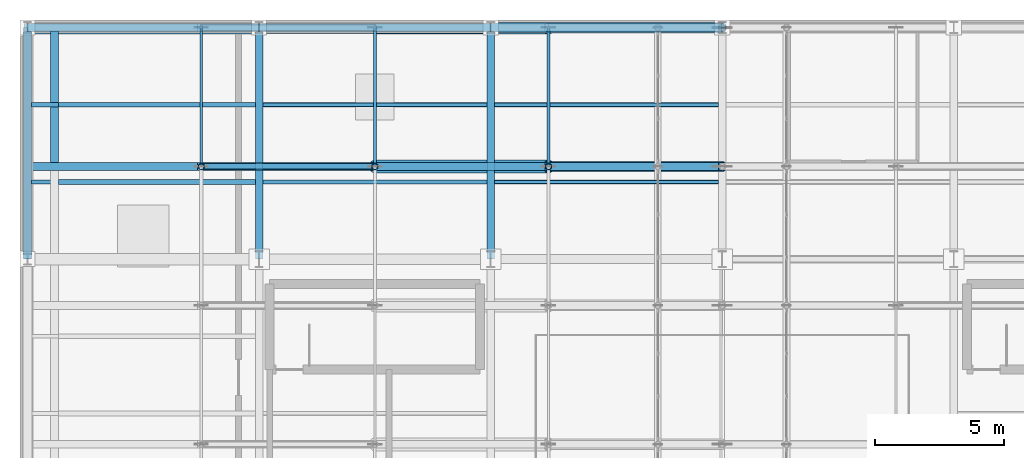
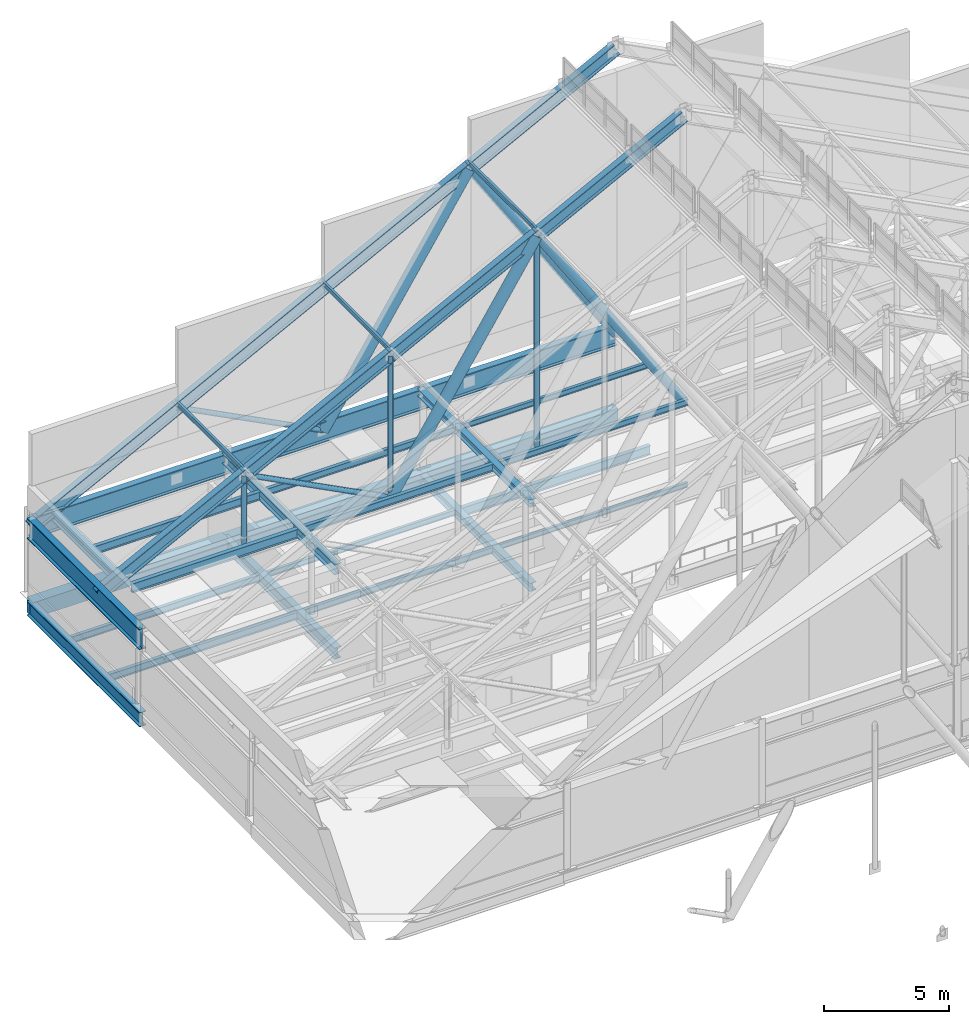
# One storey, part 55 of 84: 25 beams, 20 members.
"""IFC4 building model written with IfcOpenShell, lengths in metres."""

from ifc_helpers import new_model, si_unit, direction, frame, origin, origin_2d, place, context, subcontext, project, spatial, rectangle, hollow_circle, i_section, extrude, material, material_profile, profile_set, type_object, element, save


model = new_model("IFC4")

# Units and contexts
model_context = context("Model", 3, precision=1e-05, world=origin(), true_north=direction((0.0, 1.0)))
body_context = subcontext(model_context, "Body", "Model", "MODEL_VIEW")
ifc_project = project(units=[si_unit("LENGTHUNIT", "METRE"), si_unit("AREAUNIT", "SQUARE_METRE"), si_unit("VOLUMEUNIT", "CUBIC_METRE"), si_unit("PLANEANGLEUNIT", "RADIAN"), si_unit("MASSUNIT", "GRAM", prefix="KILO")], contexts=[model_context])

# Site, building, storey
site_placement = place(None, origin())
site = spatial("IfcSite", under=ifc_project, at=site_placement, CompositionType="ELEMENT")
building_placement = place(site_placement, origin())
building = spatial("IfcBuilding", under=site, at=building_placement, Name="Sundgate Opera House", CompositionType="ELEMENT")
storey_placement = place(building_placement, frame((0.0, 0.0, 30.60009765625)))
storey = spatial("IfcBuildingStorey", under=building, at=storey_placement, Name="L06", CompositionType="ELEMENT", Elevation=30.60009765625)

# Beams
ifc_material_1 = material(Name="Steel S355J2", Category="steel")
ifc_material_profile_1 = material_profile(ifc_material_1, i_section(OverallWidth=0.300048828125, OverallDepth=0.389892578125, WebThickness=0.010986328125, FlangeThickness=0.01904296875, at=origin_2d()), Name="HEA 400")
ifc_profile_set_1 = profile_set([ifc_material_profile_1], Name="Steel S355J2")
beam_type_1 = type_object("IfcBeamType", Name="BM-GR-HEA400", PredefinedType="BEAM", material=ifc_profile_set_1)
beam_1_placement = place(storey_placement, frame((28.050048828125, 81.75, 3.58984375), z_axis=(0.0, 1.0, 0.0), x_axis=(-1.0, 0.0, 0.0)))
element("IfcBeam", 1, at=beam_1_placement, inside=storey, type_object=beam_type_1, Name="L06 Gridiron Deck Edge Girder B3299", PredefinedType="BEAM", context=body_context, shape_type="SweptSolid", body=[
    extrude(i_section(OverallWidth=0.300048828125, OverallDepth=0.389892578125, WebThickness=0.010986328125, FlangeThickness=0.01904296875, at=origin_2d()), origin(), (0.0, 0.0, 1.0), 5.1201171875),
])
ifc_material_2 = material(Name="Steel S355J2", Category="steel")
ifc_material_profile_2 = material_profile(ifc_material_2, i_section(OverallWidth=0.300048828125, OverallDepth=0.360107421875, WebThickness=0.012451171875, FlangeThickness=0.0224609375, at=origin_2d()), Name="HEB 360")
ifc_profile_set_2 = profile_set([ifc_material_profile_2], Name="Steel S355J2")
beam_type_2 = type_object("IfcBeamType", Name="BM-GR-HEB360", PredefinedType="BEAM", material=ifc_profile_set_2)
beam_2_placement = place(storey_placement, frame((45.0, 78.0, 3.619873046875), z_axis=(0.0, 1.0, 0.0), x_axis=(-1.0, 0.0, 0.0)))
element("IfcBeam", 2, at=beam_2_placement, inside=storey, type_object=beam_type_2, Name="L06 Primary N-S Girder B3275", PredefinedType="BEAM", context=body_context, shape_type="SweptSolid", body=[
    extrude(i_section(OverallWidth=0.300048828125, OverallDepth=0.360107421875, WebThickness=0.012451171875, FlangeThickness=0.0224609375, at=origin_2d()), origin(), (0.0, 0.0, 1.0), 9.0),
])
ifc_material_3 = material(Name="Steel S355J2", Category="steel")
ifc_material_profile_3 = material_profile(ifc_material_3, i_section(OverallWidth=0.300048828125, OverallDepth=0.39990234375, WebThickness=0.013427734375, FlangeThickness=0.02392578125, at=origin_2d()), Name="HEB 400")
ifc_profile_set_3 = profile_set([ifc_material_profile_3], Name="Steel S355J2")
beam_type_3 = type_object("IfcBeamType", Name="BM-GR-HEB400", PredefinedType="BEAM", material=ifc_profile_set_3)
beam_3_placement = place(storey_placement, frame((45.0, 78.0, -0.460205078125), z_axis=(0.0, 1.0, 0.0), x_axis=(-1.0, 0.0, 0.0)))
element("IfcBeam", 3, at=beam_3_placement, inside=storey, type_object=beam_type_3, Name="L06 Primary N-S Girder B3200", PredefinedType="BEAM", context=body_context, shape_type="SweptSolid", body=[
    extrude(i_section(OverallWidth=0.300048828125, OverallDepth=0.39990234375, WebThickness=0.013427734375, FlangeThickness=0.02392578125, at=origin_2d()), origin(), (0.0, 0.0, 1.0), 9.0),
])
ifc_material_4 = material(Name="Steel S355J2", Category="steel")
ifc_material_profile_4 = material_profile(ifc_material_4, i_section(OverallWidth=0.300048828125, OverallDepth=0.5, WebThickness=0.014404296875, FlangeThickness=0.028076171875, at=origin_2d()), Name="HEB 500")
ifc_profile_set_4 = profile_set([ifc_material_profile_4], Name="Steel S355J2")
beam_type_4 = type_object("IfcBeamType", Name="BM-GR-HEB500", PredefinedType="BEAM", material=ifc_profile_set_4)
beam_4_placement = place(storey_placement, frame((36.0, 78.0, 3.5498046875), z_axis=(0.0, 1.0, 0.0), x_axis=(-1.0, 0.0, 0.0)))
element("IfcBeam", 4, at=beam_4_placement, inside=storey, type_object=beam_type_4, Name="L06 Primary N-S Girder B3272", PredefinedType="BEAM", context=body_context, shape_type="SweptSolid", body=[
    extrude(i_section(OverallWidth=0.300048828125, OverallDepth=0.5, WebThickness=0.014404296875, FlangeThickness=0.028076171875, at=origin_2d()), origin(), (0.0, 0.0, 1.0), 9.0),
])
ifc_material_5 = material(Name="Steel S355J2", Category="steel")
ifc_material_profile_5 = material_profile(ifc_material_5, i_section(OverallWidth=0.300048828125, OverallDepth=0.550048828125, WebThickness=0.014892578125, FlangeThickness=0.029052734375, at=origin_2d()), Name="HEB 550")
ifc_profile_set_5 = profile_set([ifc_material_profile_5], Name="Steel S355J2")
beam_type_5 = type_object("IfcBeamType", Name="BM-GR-HEB550", PredefinedType="BEAM", material=ifc_profile_set_5)
beam_5_placement = place(storey_placement, frame((36.0, 78.0, -0.53515625), z_axis=(0.0, 1.0, 0.0), x_axis=(-1.0, 0.0, 0.0)))
element("IfcBeam", 5, at=beam_5_placement, inside=storey, type_object=beam_type_5, Name="L06 Primary N-S Girder B3197", PredefinedType="BEAM", context=body_context, shape_type="SweptSolid", body=[
    extrude(i_section(OverallWidth=0.300048828125, OverallDepth=0.550048828125, WebThickness=0.014892578125, FlangeThickness=0.029052734375, at=origin_2d()), origin(), (0.0, 0.0, 1.0), 9.0),
])
ifc_material_6 = material(Name="Steel S355J2", Category="steel")
ifc_material_profile_6 = material_profile(ifc_material_6, i_section(OverallWidth=0.300048828125, OverallDepth=0.699951171875, WebThickness=0.01708984375, FlangeThickness=0.031982421875, at=origin_2d()), Name="HEB 700")
ifc_profile_set_6 = profile_set([ifc_material_profile_6], Name="Steel S355J2")
beam_type_6 = type_object("IfcBeamType", Name="BM-GR-HEB700", PredefinedType="BEAM", material=ifc_profile_set_6)
beam_6_placement = place(storey_placement, frame((27.0, 78.0, -0.610107421875), z_axis=(0.0, 1.0, 0.0), x_axis=(-1.0, 0.0, 0.0)))
element("IfcBeam", 6, at=beam_6_placement, inside=storey, type_object=beam_type_6, Name="L06 Primary N-S Girder B3194", PredefinedType="BEAM", context=body_context, shape_type="SweptSolid", body=[
    extrude(i_section(OverallWidth=0.300048828125, OverallDepth=0.699951171875, WebThickness=0.01708984375, FlangeThickness=0.031982421875, at=origin_2d()), origin(), (0.0, 0.0, 1.0), 9.0),
])
ifc_material_7 = material(Name="Steel S355J2", Category="steel")
ifc_material_profile_7 = material_profile(ifc_material_7, i_section(OverallWidth=0.1201171875, OverallDepth=0.239990234375, WebThickness=0.006103515625, FlangeThickness=0.009765625, at=origin_2d()), Name="IPE 240")
ifc_profile_set_7 = profile_set([ifc_material_profile_7], Name="Steel S355J2")
beam_type_7 = type_object("IfcBeamType", Name="BM-JS-IPE240", PredefinedType="JOIST", material=ifc_profile_set_7)
beam_7_placement = place(storey_placement, frame((45.14990234375, 81.0, -0.380126953125), z_axis=(1.0, 0.0, 0.0), x_axis=(0.0, 1.0, 0.0)))
element("IfcBeam", 7, at=beam_7_placement, inside=storey, type_object=beam_type_7, Name="L06 Secondary Floor Joist B3262", PredefinedType="JOIST", context=body_context, shape_type="SweptSolid", body=[
    extrude(i_section(OverallWidth=0.1201171875, OverallDepth=0.239990234375, WebThickness=0.006103515625, FlangeThickness=0.009765625, at=origin_2d()), origin(), (0.0, 0.0, 1.0), 8.7001953125),
])
ifc_material_8 = material(Name="Steel S355J2", Category="steel")
ifc_material_profile_8 = material_profile(ifc_material_8, i_section(OverallWidth=0.135009765625, OverallDepth=0.27001953125, WebThickness=0.006591796875, FlangeThickness=0.01025390625, at=origin_2d()), Name="IPE 270")
ifc_profile_set_8 = profile_set([ifc_material_profile_8], Name="Steel S355J2")
beam_type_8 = type_object("IfcBeamType", Name="BM-JS-IPE270", PredefinedType="JOIST", material=ifc_profile_set_8)
for number, where, z_axis, x_axis, name in (
    (8, (36.14990234375, 84.0, -0.39501953125), (1.0, 0.0, 0.0), (0.0, 1.0, 0.0), "L06 Secondary Floor Joist B3261"),
    (9, (45.14990234375, 84.0, 3.664794921875), (1.0, 0.0, 0.0), (0.0, 1.0, 0.0), "L06 Secondary Floor Joist B3326"),
):
    element("IfcBeam", number, at=place(storey_placement, frame(where, z_axis=z_axis, x_axis=x_axis)), inside=storey, type_object=beam_type_8, Name=name, PredefinedType="JOIST", context=body_context, shape_type="SweptSolid", body=[
        extrude(i_section(OverallWidth=0.135009765625, OverallDepth=0.27001953125, WebThickness=0.006591796875, FlangeThickness=0.01025390625, at=origin_2d()), origin(), (0.0, 0.0, 1.0), 8.7001953125),
    ])
ifc_material_9 = material(Name="Steel S355J2", Category="steel")
ifc_material_profile_9 = material_profile(ifc_material_9, i_section(OverallWidth=0.14990234375, OverallDepth=0.300048828125, WebThickness=0.007080078125, FlangeThickness=0.0107421875, at=origin_2d()), Name="IPE 300")
ifc_profile_set_9 = profile_set([ifc_material_profile_9], Name="Steel S355J2")
beam_type_9 = type_object("IfcBeamType", Name="BM-JS-IPE300", PredefinedType="JOIST", material=ifc_profile_set_9)
for number, where, z_axis, x_axis, name in (
    (10, (36.14990234375, 81.0, -0.41015625), (1.0, 0.0, 0.0), (0.0, 1.0, 0.0), "L06 Secondary Floor Joist B3260"),
    (11, (45.14990234375, 81.0, 3.64990234375), (1.0, 0.0, 0.0), (0.0, 1.0, 0.0), "L06 Secondary Floor Joist B3325"),
):
    element("IfcBeam", number, at=place(storey_placement, frame(where, z_axis=z_axis, x_axis=x_axis)), inside=storey, type_object=beam_type_9, Name=name, PredefinedType="JOIST", context=body_context, shape_type="SweptSolid", body=[
        extrude(i_section(OverallWidth=0.14990234375, OverallDepth=0.300048828125, WebThickness=0.007080078125, FlangeThickness=0.0107421875, at=origin_2d()), origin(), (0.0, 0.0, 1.0), 8.7001953125),
    ])
ifc_material_10 = material(Name="Steel S355J2", Category="steel")
ifc_material_profile_10 = material_profile(ifc_material_10, i_section(OverallWidth=0.159912109375, OverallDepth=0.330078125, WebThickness=0.007568359375, FlangeThickness=0.011474609375, at=origin_2d()), Name="IPE 330")
ifc_profile_set_10 = profile_set([ifc_material_profile_10], Name="Steel S355J2")
beam_type_10 = type_object("IfcBeamType", Name="BM-JS-IPE330", PredefinedType="JOIST", material=ifc_profile_set_10)
for number, where, z_axis, x_axis, name in (
    (12, (27.14990234375, 84.0, -0.425048828125), (1.0, 0.0, 0.0), (0.0, 1.0, 0.0), "L06 Secondary Floor Joist B3259"),
    (13, (36.14990234375, 84.0, 3.635009765625), (1.0, 0.0, 0.0), (0.0, 1.0, 0.0), "L06 Secondary Floor Joist B3324"),
):
    element("IfcBeam", number, at=place(storey_placement, frame(where, z_axis=z_axis, x_axis=x_axis)), inside=storey, type_object=beam_type_10, Name=name, PredefinedType="JOIST", context=body_context, shape_type="SweptSolid", body=[
        extrude(i_section(OverallWidth=0.159912109375, OverallDepth=0.330078125, WebThickness=0.007568359375, FlangeThickness=0.011474609375, at=origin_2d()), origin(), (0.0, 0.0, 1.0), 8.7001953125),
    ])
ifc_material_11 = material(Name="Steel S355J2", Category="steel")
ifc_material_profile_11 = material_profile(ifc_material_11, i_section(OverallWidth=0.169921875, OverallDepth=0.360107421875, WebThickness=0.008056640625, FlangeThickness=0.0126953125, at=origin_2d()), Name="IPE 360")
ifc_profile_set_11 = profile_set([ifc_material_profile_11], Name="Steel S355J2")
beam_type_11 = type_object("IfcBeamType", Name="BM-JS-IPE360", PredefinedType="JOIST", material=ifc_profile_set_11)
for number, where, z_axis, x_axis, name in (
    (14, (27.14990234375, 81.0, -0.440185546875), (1.0, 0.0, 0.0), (0.0, 1.0, 0.0), "L06 Secondary Floor Joist B3258"),
    (15, (36.14990234375, 81.0, 3.619873046875), (1.0, 0.0, 0.0), (0.0, 1.0, 0.0), "L06 Secondary Floor Joist B3323"),
):
    element("IfcBeam", number, at=place(storey_placement, frame(where, z_axis=z_axis, x_axis=x_axis)), inside=storey, type_object=beam_type_11, Name=name, PredefinedType="JOIST", context=body_context, shape_type="SweptSolid", body=[
        extrude(i_section(OverallWidth=0.169921875, OverallDepth=0.360107421875, WebThickness=0.008056640625, FlangeThickness=0.0126953125, at=origin_2d()), origin(), (0.0, 0.0, 1.0), 8.7001953125),
    ])
ifc_material_12 = material(Name="Steel S355J2", Category="steel")
ifc_material_profile_12 = material_profile(ifc_material_12, i_section(OverallWidth=0.179931640625, OverallDepth=0.39990234375, WebThickness=0.008544921875, FlangeThickness=0.013427734375, at=origin_2d()), Name="IPE 400")
ifc_profile_set_12 = profile_set([ifc_material_profile_12], Name="Steel S355J2")
beam_type_12 = type_object("IfcBeamType", Name="BM-JS-IPE400", PredefinedType="JOIST", material=ifc_profile_set_12)
beam_8_placement = place(storey_placement, frame((28.199951171875, 84.0, 3.5849609375), z_axis=(1.0, 0.0, 0.0), x_axis=(0.0, 1.0, 0.0)))
element("IfcBeam", 16, at=beam_8_placement, inside=storey, type_object=beam_type_12, Name="L06 Secondary Floor Joist B3322", PredefinedType="JOIST", context=body_context, shape_type="SweptSolid", body=[
    extrude(i_section(OverallWidth=0.179931640625, OverallDepth=0.39990234375, WebThickness=0.008544921875, FlangeThickness=0.013427734375, at=origin_2d()), origin(), (0.0, 0.0, 1.0), 7.650146484375),
])
ifc_material_13 = material(Name="Steel S355J2", Category="steel")
ifc_material_profile_13 = material_profile(ifc_material_13, i_section(OverallWidth=0.18994140625, OverallDepth=0.449951171875, WebThickness=0.009521484375, FlangeThickness=0.0146484375, at=origin_2d()), Name="IPE 450")
ifc_profile_set_13 = profile_set([ifc_material_profile_13], Name="Steel S355J2")
beam_type_13 = type_object("IfcBeamType", Name="BM-JS-IPE450", PredefinedType="JOIST", material=ifc_profile_set_13)
beam_9_placement = place(storey_placement, frame((45.14990234375, 84.0, -0.485107421875), z_axis=(1.0, 0.0, 0.0), x_axis=(0.0, 1.0, 0.0)))
element("IfcBeam", 17, at=beam_9_placement, inside=storey, type_object=beam_type_13, Name="L06 Secondary Floor Joist B3263", PredefinedType="JOIST", context=body_context, shape_type="SweptSolid", body=[
    extrude(i_section(OverallWidth=0.18994140625, OverallDepth=0.449951171875, WebThickness=0.009521484375, FlangeThickness=0.0146484375, at=origin_2d()), origin(), (0.0, 0.0, 1.0), 8.7001953125),
])
beam_10_placement = place(storey_placement, frame((28.199951171875, 81.0, 3.559814453125), z_axis=(1.0, 0.0, 0.0), x_axis=(0.0, 1.0, 0.0)))
element("IfcBeam", 18, at=beam_10_placement, inside=storey, type_object=beam_type_13, Name="L06 Secondary Floor Joist B3321", PredefinedType="JOIST", context=body_context, shape_type="SweptSolid", body=[
    extrude(i_section(OverallWidth=0.18994140625, OverallDepth=0.449951171875, WebThickness=0.009521484375, FlangeThickness=0.0146484375, at=origin_2d()), origin(), (0.0, 0.0, 1.0), 7.650146484375),
])
ifc_material_14 = material(Name="Concrete C35/45", Category="concrete")
ifc_material_profile_14 = material_profile(ifc_material_14, rectangle(XDim=0.39990234375, YDim=0.60009765625, at=origin_2d()), Name="RC 400x600")
ifc_profile_set_14 = profile_set([ifc_material_profile_14], Name="Concrete C35/45")
beam_type_14 = type_object("IfcBeamType", Name="BM-RC-400x600", PredefinedType="BEAM", material=ifc_profile_set_14)
beam_11_placement = place(storey_placement, frame((45.0, 87.0, -0.56005859375), z_axis=(1.0, 0.0, 0.0), x_axis=(0.0, 1.0, 0.0)))
element("IfcBeam", 19, at=beam_11_placement, inside=storey, type_object=beam_type_14, Name="L06 Primary E-W Girder B3236", PredefinedType="BEAM", context=body_context, shape_type="SweptSolid", body=[
    extrude(rectangle(XDim=0.39990234375, YDim=0.60009765625, at=origin_2d()), origin(), (0.0, 0.0, 1.0), 9.0),
])
ifc_material_15 = material(Name="Concrete C35/45", Category="concrete")
ifc_material_profile_15 = material_profile(ifc_material_15, rectangle(XDim=0.449951171875, YDim=0.64990234375, at=origin_2d()), Name="RC 450x650")
ifc_profile_set_15 = profile_set([ifc_material_profile_15], Name="Concrete C35/45")
beam_type_15 = type_object("IfcBeamType", Name="BM-RC-450x650", PredefinedType="BEAM", material=ifc_profile_set_15)
beam_12_placement = place(storey_placement, frame((36.0, 87.0, -0.585205078125), z_axis=(1.0, 0.0, 0.0), x_axis=(0.0, 1.0, 0.0)))
element("IfcBeam", 20, at=beam_12_placement, inside=storey, type_object=beam_type_15, Name="L06 Primary E-W Girder B3235", PredefinedType="BEAM", context=body_context, shape_type="SweptSolid", body=[
    extrude(rectangle(XDim=0.449951171875, YDim=0.64990234375, at=origin_2d()), origin(), (0.0, 0.0, 1.0), 9.0),
])
ifc_material_16 = material(Name="Concrete C40/50", Category="concrete")
ifc_material_profile_16 = material_profile(ifc_material_16, rectangle(XDim=0.5, YDim=0.75, at=origin_2d()), Name="RC 500x750")
ifc_profile_set_16 = profile_set([ifc_material_profile_16], Name="Concrete C40/50")
beam_type_16 = type_object("IfcBeamType", Name="BM-RC-500x750", PredefinedType="BEAM", material=ifc_profile_set_16)
beam_13_placement = place(storey_placement, frame((27.0, 87.0, -0.635009765625), z_axis=(1.0, 0.0, 0.0), x_axis=(0.0, 1.0, 0.0)))
element("IfcBeam", 21, at=beam_13_placement, inside=storey, type_object=beam_type_16, Name="L06 Primary E-W Girder B3234", PredefinedType="BEAM", context=body_context, shape_type="SweptSolid", body=[
    extrude(rectangle(XDim=0.5, YDim=0.75, at=origin_2d()), origin(), (0.0, 0.0, 1.0), 9.0),
])
ifc_material_17 = material(Name="Steel S355ML", Category="steel")
ifc_material_profile_17 = material_profile(ifc_material_17, i_section(OverallWidth=0.300048828125, OverallDepth=1.0, WebThickness=0.01904296875, FlangeThickness=0.035888671875, at=origin_2d()), Name="HEB 1000")
ifc_profile_set_17 = profile_set([ifc_material_profile_17], Name="Steel S355ML")
beam_type_17 = type_object("IfcBeamType", Name="BM-TR-HEB1000", PredefinedType="BEAM", material=ifc_profile_set_17)
for number, where, z_axis, x_axis, name in (
    (22, (27.0, 87.0, 3.289794921875), (1.0, 0.0, 0.0), (0.0, 1.0, 0.0), "L06 Fly-Tower North Gable Girder B3366"),
    (23, (36.0, 87.0, 3.289794921875), (1.0, 0.0, 0.0), (0.0, 1.0, 0.0), "L06 Fly-Tower North Gable Girder B3367"),
    (24, (45.0, 87.0, 3.289794921875), (1.0, 0.0, 0.0), (0.0, 1.0, 0.0), "L06 Fly-Tower North Gable Girder B3368"),
    (25, (27.0, 78.0, 3.289794921875), (0.0, 1.0, 0.0), (-1.0, 0.0, 0.0), "L06 Fly-Tower Eaves Collector Girder B3379"),
):
    element("IfcBeam", number, at=place(storey_placement, frame(where, z_axis=z_axis, x_axis=x_axis)), inside=storey, type_object=beam_type_17, Name=name, PredefinedType="BEAM", context=body_context, shape_type="SweptSolid", body=[
        extrude(i_section(OverallWidth=0.300048828125, OverallDepth=1.0, WebThickness=0.01904296875, FlangeThickness=0.035888671875, at=origin_2d()), origin(), (0.0, 0.0, 1.0), 9.0),
    ])

# Members
ifc_material_18 = material(Name="Steel S355J2", Category="steel")
ifc_material_profile_18 = material_profile(ifc_material_18, hollow_circle(Radius=0.122314453125, WallThickness=0.012451171875, at=origin_2d()), Name="CHS 244.5x12.5")
ifc_profile_set_18 = profile_set([ifc_material_profile_18], Name="Steel S355J2")
member_type_1 = type_object("IfcMemberType", Name="MB-BRC-CHS244", PredefinedType="BRACE", material=ifc_profile_set_18)
for number, where, z_axis, x_axis, name in (
    (26, (40.5, 81.60009765625, 3.289794921875), (-0.888960276237, 0.0, 0.457984308981), (0.0, -1.0, 0.0), "L06 Fly-Tower Warren Web Diagonal M0199"),
    (27, (40.5, 87.0, 3.289794921875), (-0.888960276237, 0.0, 0.457984308981), (0.0, -1.0, 0.0), "L06 Fly-Tower Warren Web Diagonal M0220"),
):
    element("IfcMember", number, at=place(storey_placement, frame(where, z_axis=z_axis, x_axis=x_axis)), inside=storey, type_object=member_type_1, Name=name, PredefinedType="BRACE", context=body_context, shape_type="SweptSolid", body=[
        extrude(hollow_circle(Radius=0.122314453125, WallThickness=0.012451171875, at=origin_2d()), origin(), (0.0, 0.0, 1.0), 7.59326171875),
    ])
ifc_material_19 = material(Name="Steel S355J2", Category="steel")
ifc_material_profile_19 = material_profile(ifc_material_19, i_section(OverallWidth=0.300048828125, OverallDepth=0.60009765625, WebThickness=0.015380859375, FlangeThickness=0.030029296875, at=origin_2d()), Name="HEB 600")
ifc_profile_set_19 = profile_set([ifc_material_profile_19], Name="Steel S355J2")
member_type_2 = type_object("IfcMemberType", Name="MB-CHORD-HEB600", PredefinedType="CHORD", material=ifc_profile_set_19)
for number, where, z_axis, x_axis, name in (
    (28, (27.0, 81.60009765625, 3.289794921875), (0.888960276237, 0.0, 0.457984308981), (0.0, 1.0, 0.0), "L06 Fly-Tower Truss Top Chord M0197"),
    (29, (33.75, 81.60009765625, 6.767333984375), (0.888960276237, 0.0, 0.457984308981), (0.0, 1.0, 0.0), "L06 Fly-Tower Truss Top Chord M0198"),
    (30, (40.5, 81.60009765625, 10.244873046875), (0.888960276237, 0.0, 0.457984308981), (0.0, 1.0, 0.0), "L06 Fly-Tower Truss Top Chord M0200"),
    (31, (47.25, 81.60009765625, 13.722412109375), (0.888960276237, 0.0, 0.457984308981), (0.0, 1.0, 0.0), "L06 Fly-Tower Truss Top Chord M0202"),
    (32, (27.0, 87.0, 3.289794921875), (0.888960276237, 0.0, 0.457984308981), (0.0, 1.0, 0.0), "L06 Fly-Tower Truss Top Chord M0218"),
    (33, (33.75, 87.0, 6.767333984375), (0.888960276237, 0.0, 0.457984308981), (0.0, 1.0, 0.0), "L06 Fly-Tower Truss Top Chord M0219"),
    (34, (40.5, 87.0, 10.244873046875), (0.888960276237, 0.0, 0.457984308981), (0.0, 1.0, 0.0), "L06 Fly-Tower Truss Top Chord M0221"),
    (35, (47.25, 87.0, 13.722412109375), (0.888960276237, 0.0, 0.457984308981), (0.0, 1.0, 0.0), "L06 Fly-Tower Truss Top Chord M0223"),
):
    element("IfcMember", number, at=place(storey_placement, frame(where, z_axis=z_axis, x_axis=x_axis)), inside=storey, type_object=member_type_2, Name=name, PredefinedType="CHORD", context=body_context, shape_type="SweptSolid", body=[
        extrude(i_section(OverallWidth=0.300048828125, OverallDepth=0.60009765625, WebThickness=0.015380859375, FlangeThickness=0.030029296875, at=origin_2d()), origin(), (0.0, 0.0, 1.0), 7.59326171875),
    ])
ifc_material_20 = material(Name="Steel S355J2", Category="steel")
ifc_material_profile_20 = material_profile(ifc_material_20, i_section(OverallWidth=0.110107421875, OverallDepth=0.219970703125, WebThickness=0.005859375, FlangeThickness=0.00927734375, at=origin_2d()), Name="IPE 220")
ifc_profile_set_20 = profile_set([ifc_material_profile_20], Name="Steel S355J2")
member_type_3 = type_object("IfcMemberType", Name="MB-PUR-IPE220", PredefinedType="PURLIN", material=ifc_profile_set_20)
for number, where, z_axis, x_axis, name in (
    (36, (33.75, 81.60009765625, 7.012451171875), (0.0, 1.0, 0.0), (-1.0, 0.0, 0.0), "V1 Roof Purlin M0270"),
    (37, (40.5, 81.60009765625, 10.489990234375), (0.0, 1.0, 0.0), (-1.0, 0.0, 0.0), "V1 Roof Purlin M0271"),
    (38, (47.25, 81.60009765625, 13.96728515625), (0.0, 1.0, 0.0), (-1.0, 0.0, 0.0), "V1 Roof Purlin M0272"),
):
    element("IfcMember", number, at=place(storey_placement, frame(where, z_axis=z_axis, x_axis=x_axis)), inside=storey, type_object=member_type_3, Name=name, PredefinedType="PURLIN", context=body_context, shape_type="SweptSolid", body=[
        extrude(i_section(OverallWidth=0.110107421875, OverallDepth=0.219970703125, WebThickness=0.005859375, FlangeThickness=0.00927734375, at=origin_2d()), origin(), (0.0, 0.0, 1.0), 5.39990234375),
    ])
ifc_material_21 = material(Name="Steel S355J2", Category="steel")
ifc_material_profile_21 = material_profile(ifc_material_21, hollow_circle(Radius=0.122314453125, WallThickness=0.012451171875, at=origin_2d()), Name="CHS 244.5x12.5")
ifc_profile_set_21 = profile_set([ifc_material_profile_21], Name="Steel S355J2")
member_type_4 = type_object("IfcMemberType", Name="MB-STRUT-CHS244", PredefinedType="STRUT", material=ifc_profile_set_21)
member_1_placement = place(storey_placement, frame((33.75, 81.60009765625, 3.289794921875), z_axis=(0.0, 0.0, 1.0), x_axis=(1.0, 0.0, 0.0)))
element("IfcMember", 39, at=member_1_placement, inside=storey, type_object=member_type_4, Name="L06 Fly-Tower Truss Vertical Post M0211", PredefinedType="STRUT", context=body_context, shape_type="SweptSolid", body=[
    extrude(hollow_circle(Radius=0.122314453125, WallThickness=0.012451171875, at=origin_2d()), origin(), (0.0, 0.0, 1.0), 3.4775390625),
])
member_2_placement = place(storey_placement, frame((40.5, 81.60009765625, 3.289794921875), z_axis=(0.0, 0.0, 1.0), x_axis=(1.0, 0.0, 0.0)))
element("IfcMember", 40, at=member_2_placement, inside=storey, type_object=member_type_4, Name="L06 Fly-Tower Truss Vertical Post M0212", PredefinedType="STRUT", context=body_context, shape_type="SweptSolid", body=[
    extrude(hollow_circle(Radius=0.122314453125, WallThickness=0.012451171875, at=origin_2d()), origin(), (0.0, 0.0, 1.0), 6.955078125),
])
member_3_placement = place(storey_placement, frame((47.25, 81.60009765625, 3.289794921875), z_axis=(0.0, 0.0, 1.0), x_axis=(1.0, 0.0, 0.0)))
element("IfcMember", 41, at=member_3_placement, inside=storey, type_object=member_type_4, Name="L06 Fly-Tower Truss Vertical Post M0213", PredefinedType="STRUT", context=body_context, shape_type="SweptSolid", body=[
    extrude(hollow_circle(Radius=0.122314453125, WallThickness=0.012451171875, at=origin_2d()), origin(), (0.0, 0.0, 1.0), 10.4326171875),
])
ifc_material_22 = material(Name="Steel S355ML", Category="steel")
ifc_material_profile_22 = material_profile(ifc_material_22, hollow_circle(Radius=0.203125, WallThickness=0.02001953125, at=origin_2d()), Name="CHS 406.4x20.0")
ifc_profile_set_22 = profile_set([ifc_material_profile_22], Name="Steel S355ML")
member_type_5 = type_object("IfcMemberType", Name="MB-STRUT-CHS406", PredefinedType="STRUT", material=ifc_profile_set_22)
for number, where, z_axis, x_axis, name in (
    (42, (54.0, 81.60009765625, 3.289794921875), (-0.543221949913, 0.0, 0.839589133525), (0.0, -1.0, 0.0), "L06 Fly-Tower Warren Web Diagonal M0203"),
    (43, (54.0, 87.0, 3.289794921875), (-0.543221949913, 0.0, 0.839589133525), (0.0, -1.0, 0.0), "L06 Fly-Tower Warren Web Diagonal M0224"),
):
    element("IfcMember", number, at=place(storey_placement, frame(where, z_axis=z_axis, x_axis=x_axis)), inside=storey, type_object=member_type_5, Name=name, PredefinedType="STRUT", context=body_context, shape_type="SweptSolid", body=[
        extrude(hollow_circle(Radius=0.203125, WallThickness=0.02001953125, at=origin_2d()), origin(), (0.0, 0.0, 1.0), 12.42578125),
    ])
ifc_material_23 = material(Name="Steel S355ML", Category="steel")
ifc_material_profile_23 = material_profile(ifc_material_23, hollow_circle(Radius=0.25390625, WallThickness=0.02490234375, at=origin_2d()), Name="CHS 508x25.0")
ifc_profile_set_23 = profile_set([ifc_material_profile_23], Name="Steel S355ML")
member_type_6 = type_object("IfcMemberType", Name="MB-STRUT-CHS508", PredefinedType="STRUT", material=ifc_profile_set_23)
for number, where, z_axis, x_axis, name in (
    (44, (40.5, 81.60009765625, 3.289794921875), (0.543221949913, 0.0, 0.839589133525), (0.0, 1.0, 0.0), "L06 Fly-Tower Warren Web Strut M0201"),
    (45, (40.5, 87.0, 3.289794921875), (0.543221949913, 0.0, 0.839589133525), (0.0, 1.0, 0.0), "L06 Fly-Tower Warren Web Strut M0222"),
):
    element("IfcMember", number, at=place(storey_placement, frame(where, z_axis=z_axis, x_axis=x_axis)), inside=storey, type_object=member_type_6, Name=name, PredefinedType="STRUT", context=body_context, shape_type="SweptSolid", body=[
        extrude(hollow_circle(Radius=0.25390625, WallThickness=0.02490234375, at=origin_2d()), origin(), (0.0, 0.0, 1.0), 12.42578125),
    ])

save(model, "model.ifc")
